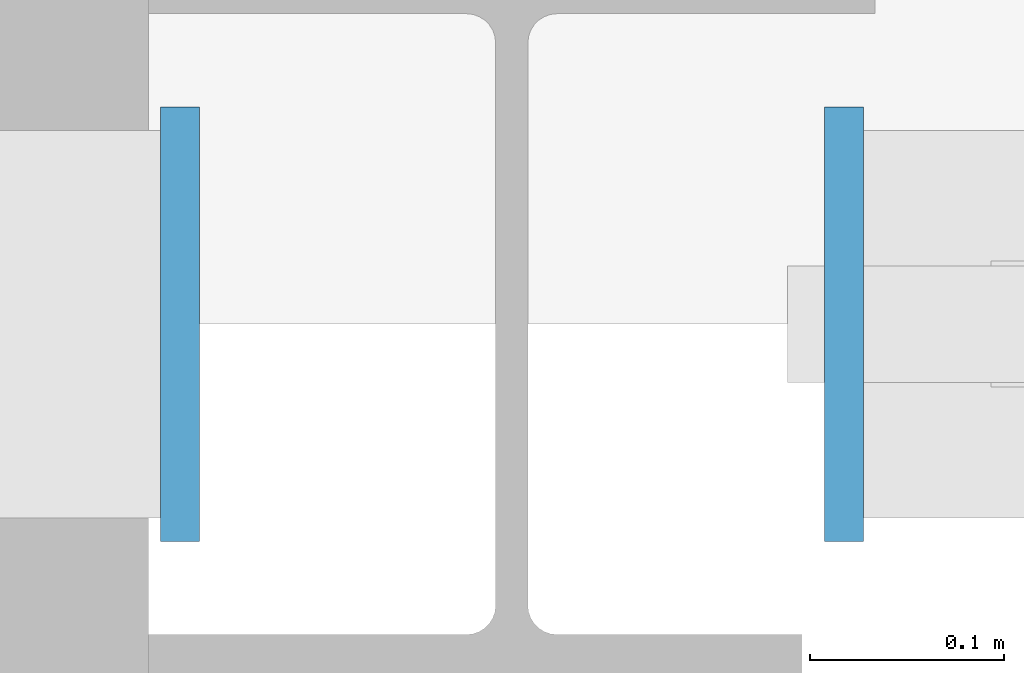
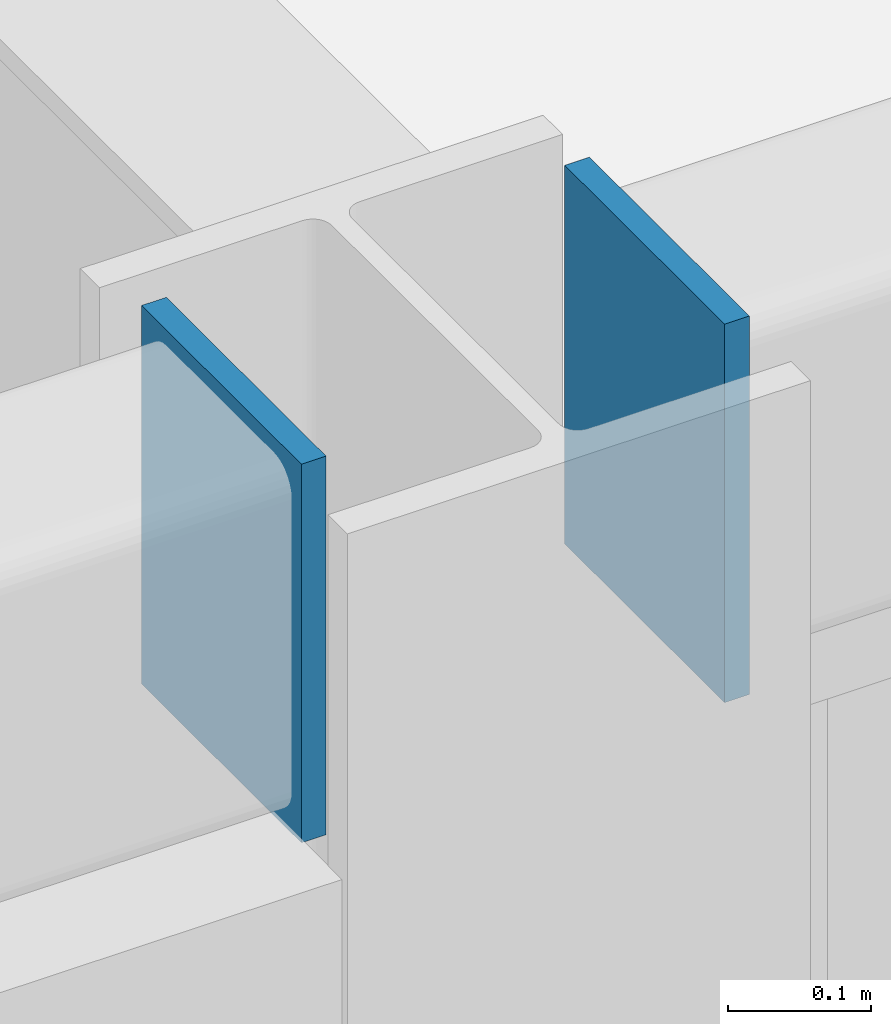
# One storey, part 57 of 96: 2 discrete accessories.
"""IFC4 building model written with IfcOpenShell, lengths in metres."""

from ifc_helpers import new_model, si_unit, direction, frame, origin, origin_2d, place, context, subcontext, project, spatial, rectangle, extrude, material, layer, layer_set, type_object, element, save


model = new_model("IFC4")

# Units and contexts
model_context = context("Model", 3, precision=1e-05, world=origin(), true_north=direction((0.0, 1.0)))
body_context = subcontext(model_context, "Body", "Model", "MODEL_VIEW")
ifc_project = project(units=[si_unit("LENGTHUNIT", "METRE"), si_unit("AREAUNIT", "SQUARE_METRE"), si_unit("VOLUMEUNIT", "CUBIC_METRE"), si_unit("PLANEANGLEUNIT", "RADIAN"), si_unit("MASSUNIT", "GRAM", prefix="KILO")], contexts=[model_context])

# Site, building, storey
site_placement = place(None, origin())
site = spatial("IfcSite", under=ifc_project, at=site_placement, CompositionType="ELEMENT")
building_placement = place(site_placement, origin())
building = spatial("IfcBuilding", under=site, at=building_placement, Name="Kranzveld Transit Interchange", CompositionType="ELEMENT")
storey_placement = place(building_placement, frame((0.0, 0.0, 9.52001953125)))
storey = spatial("IfcBuildingStorey", under=building, at=storey_placement, Name="L02", CompositionType="ELEMENT", Elevation=9.52001953125)

# Discrete accessories
ifc_material = material(Name="Steel S355JR", Category="steel")
ifc_layer = layer(ifc_material, 0.02001953125)
ifc_layer_set = layer_set([ifc_layer], Name="Steel S355JR")
discrete_accessory_type = type_object("IfcDiscreteAccessoryType", Name="Hollow Section End Cap Bracket 20 S355JR", PredefinedType="BRACKET", material=ifc_layer_set)
for number, where, z_axis, x_axis, name in (
    (1, (25.018798828125, 16.0, 3.419921875), (1.0, 0.0, 0.0), (0.0, 1.0, 0.0), "Hollow Section End Cap SP-RHS300-2"),
    (2, (25.38134765625, 16.0, 3.419921875), (-1.0, 0.0, 0.0), (0.0, -1.0, 0.0), "Hollow Section End Cap SP-RHS300-1"),
):
    element("IfcDiscreteAccessory", number, at=place(storey_placement, frame(where, z_axis=z_axis, x_axis=x_axis)), inside=storey, type_object=discrete_accessory_type, Name=name, PredefinedType="BRACKET", context=body_context, shape_type="SweptSolid", body=[
        extrude(rectangle(XDim=0.22412109375, YDim=0.323974609375, at=origin_2d()), origin(), (0.0, 0.0, 1.0), 0.02001953125),
    ])

save(model, "model.ifc")
